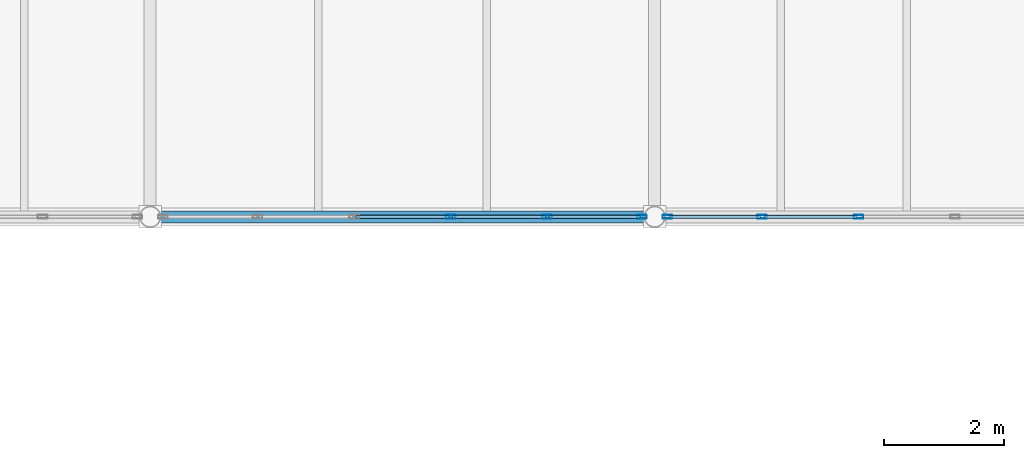
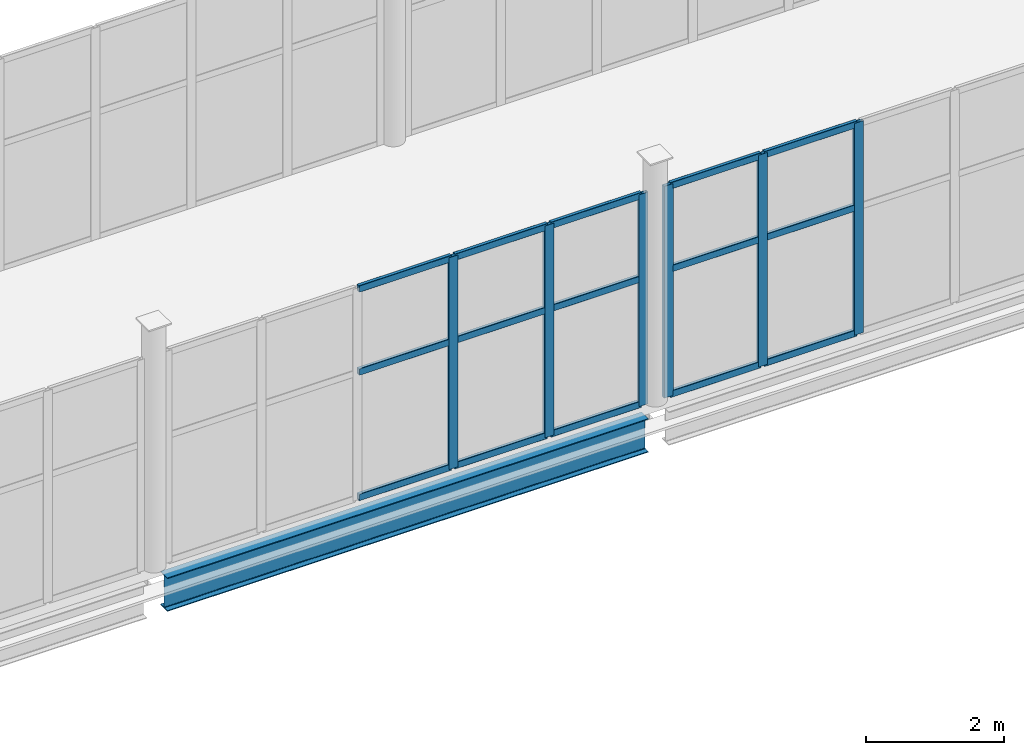
# One storey, part 46 of 172: 21 members, 1 beam, 2 elements without a shape of their own.
"""IFC4 building model written with IfcOpenShell, lengths in metres."""

from ifc_helpers import new_model, si_unit, direction, frame, origin, origin_2d, place, context, subcontext, project, spatial, hollow_rectangle, i_section, extrude, material, material_profile, profile_set, type_object, element, aggregate, save


model = new_model("IFC4")

# Units and contexts
model_context = context("Model", 3, precision=1e-05, world=origin(), true_north=direction((0.0, 1.0)))
body_context = subcontext(model_context, "Body", "Model", "MODEL_VIEW")
ifc_project = project(units=[si_unit("LENGTHUNIT", "METRE"), si_unit("AREAUNIT", "SQUARE_METRE"), si_unit("VOLUMEUNIT", "CUBIC_METRE"), si_unit("PLANEANGLEUNIT", "RADIAN"), si_unit("MASSUNIT", "GRAM", prefix="KILO")], contexts=[model_context])

# Site, building, storey
site_placement = place(None, origin())
site = spatial("IfcSite", under=ifc_project, at=site_placement, CompositionType="ELEMENT")
building_placement = place(site_placement, origin())
building = spatial("IfcBuilding", under=site, at=building_placement, Name="Shengluoqiao Park Theatre", CompositionType="ELEMENT")
storey_placement = place(building_placement, frame((0.0, 0.0, 5.39990234375)))
storey = spatial("IfcBuildingStorey", under=building, at=storey_placement, Name="L01", CompositionType="ELEMENT", Elevation=5.39990234375)

# Curtain wall, members
ifc_material_1 = material(Name="Aluminium 6063-T6", Category="aluminium")
curtain_wall_type = type_object("IfcCurtainWallType", Name="ENV-CW-BRIDGE", PredefinedType="NOTDEFINED", material=ifc_material_1)
curtain_wall_1_placement = place(storey_placement, origin())
curtain_wall_1 = element("IfcCurtainWall", 1, at=curtain_wall_1_placement, inside=storey, type_object=curtain_wall_type, Name="L01 Curtain Wall CWX-L01-0125", PredefinedType="NOTDEFINED")
ifc_material_profile_1 = material_profile(ifc_material_1, hollow_rectangle(XDim=0.06005859375, YDim=0.159912109375, WallThickness=0.00390625, InnerFilletRadius=0.00390625, OuterFilletRadius=0.008056640625, at=origin_2d()), Name="ALU MULLION 160x60x4")
ifc_profile_set_1 = profile_set([ifc_material_profile_1], Name="Aluminium 6063-T6")
member_type_1 = type_object("IfcMemberType", Name="ENV-MUL-160", PredefinedType="MULLION", material=ifc_profile_set_1)
member_1_placement = place(storey_placement, frame((66.20361328125, 53.199951171875, 0.0), z_axis=(0.0, 0.0, 1.0), x_axis=(0.0, 1.0, 0.0)))
member_1 = element("IfcMember", 2, at=member_1_placement, type_object=member_type_1, Name="CW-03 mullion 4", PredefinedType="MULLION", context=body_context, shape_type="SweptSolid", body=[
    extrude(hollow_rectangle(XDim=0.06005859375, YDim=0.159912109375, WallThickness=0.00390625, InnerFilletRadius=0.00390625, OuterFilletRadius=0.008056640625, at=origin_2d()), origin(), (0.0, 0.0, 1.0), 3.752197265625),
])
member_2_placement = place(storey_placement, frame((67.810791015625, 53.199951171875, 0.0), z_axis=(0.0, 0.0, 1.0), x_axis=(0.0, 1.0, 0.0)))
member_2 = element("IfcMember", 3, at=member_2_placement, type_object=member_type_1, Name="CW-03 mullion 5", PredefinedType="MULLION", context=body_context, shape_type="SweptSolid", body=[
    extrude(hollow_rectangle(XDim=0.06005859375, YDim=0.159912109375, WallThickness=0.00390625, InnerFilletRadius=0.00390625, OuterFilletRadius=0.008056640625, at=origin_2d()), origin(), (0.0, 0.0, 1.0), 3.752197265625),
])
member_3_placement = place(storey_placement, frame((69.387939453125, 53.199951171875, 0.0), z_axis=(0.0, 0.0, 1.0), x_axis=(0.0, 1.0, 0.0)))
member_3 = element("IfcMember", 4, at=member_3_placement, type_object=member_type_1, Name="CW-03 mullion 6", PredefinedType="MULLION", context=body_context, shape_type="SweptSolid", body=[
    extrude(hollow_rectangle(XDim=0.06005859375, YDim=0.159912109375, WallThickness=0.00390625, InnerFilletRadius=0.00390625, OuterFilletRadius=0.008056640625, at=origin_2d()), origin(), (0.0, 0.0, 1.0), 3.752197265625),
])

curtain_wall_2_placement = place(storey_placement, origin())
curtain_wall_2 = element("IfcCurtainWall", 5, at=curtain_wall_2_placement, inside=storey, type_object=curtain_wall_type, Name="L01 Curtain Wall CWX-L01-0126", PredefinedType="NOTDEFINED")
member_4_placement = place(storey_placement, frame((69.81201171875, 53.199951171875, 0.0), z_axis=(0.0, 0.0, 1.0), x_axis=(0.0, 1.0, 0.0)))
member_4 = element("IfcMember", 6, at=member_4_placement, type_object=member_type_1, Name="CW-03 mullion 1", PredefinedType="MULLION", context=body_context, shape_type="SweptSolid", body=[
    extrude(hollow_rectangle(XDim=0.06005859375, YDim=0.159912109375, WallThickness=0.00390625, InnerFilletRadius=0.00390625, OuterFilletRadius=0.008056640625, at=origin_2d()), origin(), (0.0, 0.0, 1.0), 3.752197265625),
])
member_5_placement = place(storey_placement, frame((71.38916015625, 53.199951171875, 0.0), z_axis=(0.0, 0.0, 1.0), x_axis=(0.0, 1.0, 0.0)))
member_5 = element("IfcMember", 7, at=member_5_placement, type_object=member_type_1, Name="CW-03 mullion 2", PredefinedType="MULLION", context=body_context, shape_type="SweptSolid", body=[
    extrude(hollow_rectangle(XDim=0.06005859375, YDim=0.159912109375, WallThickness=0.00390625, InnerFilletRadius=0.00390625, OuterFilletRadius=0.008056640625, at=origin_2d()), origin(), (0.0, 0.0, 1.0), 3.752197265625),
])
member_6_placement = place(storey_placement, frame((72.996337890625, 53.199951171875, 0.0), z_axis=(0.0, 0.0, 1.0), x_axis=(0.0, 1.0, 0.0)))
member_6 = element("IfcMember", 8, at=member_6_placement, type_object=member_type_1, Name="CW-03 mullion 3", PredefinedType="MULLION", context=body_context, shape_type="SweptSolid", body=[
    extrude(hollow_rectangle(XDim=0.06005859375, YDim=0.159912109375, WallThickness=0.00390625, InnerFilletRadius=0.00390625, OuterFilletRadius=0.008056640625, at=origin_2d()), origin(), (0.0, 0.0, 1.0), 3.752197265625),
])

# Member
ifc_material_profile_2 = material_profile(ifc_material_1, hollow_rectangle(XDim=0.06005859375, YDim=0.1201171875, WallThickness=0.00390625, InnerFilletRadius=0.00390625, OuterFilletRadius=0.008056640625, at=origin_2d()), Name="ALU TRANSOM 120x60x4")
ifc_profile_set_2 = profile_set([ifc_material_profile_2], Name="Aluminium 6063-T6")
member_type_2 = type_object("IfcMemberType", Name="ENV-TRN-120", PredefinedType="USERDEFINED", material=ifc_profile_set_2)
member_7_placement = place(storey_placement, frame((64.62646484375, 53.199951171875, 0.030029296875), z_axis=(1.0, 0.0, 0.0), x_axis=(0.0, 1.0, 0.0)))
member_7 = element("IfcMember", 9, at=member_7_placement, type_object=member_type_2, Name="CW-03 transom 3.1", ObjectType="TRANSOM", PredefinedType="USERDEFINED", context=body_context, shape_type="SweptSolid", body=[
    extrude(hollow_rectangle(XDim=0.06005859375, YDim=0.1201171875, WallThickness=0.00390625, InnerFilletRadius=0.00390625, OuterFilletRadius=0.008056640625, at=origin_2d()), origin(), (0.0, 0.0, 1.0), 1.547119140625),
])

member_8_placement = place(storey_placement, frame((64.62646484375, 53.199951171875, 2.2509765625), z_axis=(1.0, 0.0, 0.0), x_axis=(0.0, 1.0, 0.0)))
member_8 = element("IfcMember", 10, at=member_8_placement, type_object=member_type_2, Name="CW-03 transom 3.2", ObjectType="TRANSOM", PredefinedType="USERDEFINED", context=body_context, shape_type="SweptSolid", body=[
    extrude(hollow_rectangle(XDim=0.06005859375, YDim=0.1201171875, WallThickness=0.00390625, InnerFilletRadius=0.00390625, OuterFilletRadius=0.008056640625, at=origin_2d()), origin(), (0.0, 0.0, 1.0), 1.547119140625),
])

member_9_placement = place(storey_placement, frame((64.62646484375, 53.199951171875, 3.72216796875), z_axis=(1.0, 0.0, 0.0), x_axis=(0.0, 1.0, 0.0)))
member_9 = element("IfcMember", 11, at=member_9_placement, type_object=member_type_2, Name="CW-03 transom 3.3", ObjectType="TRANSOM", PredefinedType="USERDEFINED", context=body_context, shape_type="SweptSolid", body=[
    extrude(hollow_rectangle(XDim=0.06005859375, YDim=0.1201171875, WallThickness=0.00390625, InnerFilletRadius=0.00390625, OuterFilletRadius=0.008056640625, at=origin_2d()), origin(), (0.0, 0.0, 1.0), 1.547119140625),
])

member_10_placement = place(storey_placement, frame((66.233642578125, 53.199951171875, 0.030029296875), z_axis=(1.0, 0.0, 0.0), x_axis=(0.0, 1.0, 0.0)))
member_10 = element("IfcMember", 12, at=member_10_placement, type_object=member_type_2, Name="CW-03 transom 4.1", ObjectType="TRANSOM", PredefinedType="USERDEFINED", context=body_context, shape_type="SweptSolid", body=[
    extrude(hollow_rectangle(XDim=0.06005859375, YDim=0.1201171875, WallThickness=0.00390625, InnerFilletRadius=0.00390625, OuterFilletRadius=0.008056640625, at=origin_2d()), origin(), (0.0, 0.0, 1.0), 1.547119140625),
])

member_11_placement = place(storey_placement, frame((66.233642578125, 53.199951171875, 2.2509765625), z_axis=(1.0, 0.0, 0.0), x_axis=(0.0, 1.0, 0.0)))
member_11 = element("IfcMember", 13, at=member_11_placement, type_object=member_type_2, Name="CW-03 transom 4.2", ObjectType="TRANSOM", PredefinedType="USERDEFINED", context=body_context, shape_type="SweptSolid", body=[
    extrude(hollow_rectangle(XDim=0.06005859375, YDim=0.1201171875, WallThickness=0.00390625, InnerFilletRadius=0.00390625, OuterFilletRadius=0.008056640625, at=origin_2d()), origin(), (0.0, 0.0, 1.0), 1.547119140625),
])

member_12_placement = place(storey_placement, frame((66.233642578125, 53.199951171875, 3.72216796875), z_axis=(1.0, 0.0, 0.0), x_axis=(0.0, 1.0, 0.0)))
member_12 = element("IfcMember", 14, at=member_12_placement, type_object=member_type_2, Name="CW-03 transom 4.3", ObjectType="TRANSOM", PredefinedType="USERDEFINED", context=body_context, shape_type="SweptSolid", body=[
    extrude(hollow_rectangle(XDim=0.06005859375, YDim=0.1201171875, WallThickness=0.00390625, InnerFilletRadius=0.00390625, OuterFilletRadius=0.008056640625, at=origin_2d()), origin(), (0.0, 0.0, 1.0), 1.547119140625),
])

member_13_placement = place(storey_placement, frame((67.8408203125, 53.199951171875, 0.030029296875), z_axis=(1.0, 0.0, 0.0), x_axis=(0.0, 1.0, 0.0)))
member_13 = element("IfcMember", 15, at=member_13_placement, type_object=member_type_2, Name="CW-03 transom 5.1", ObjectType="TRANSOM", PredefinedType="USERDEFINED", context=body_context, shape_type="SweptSolid", body=[
    extrude(hollow_rectangle(XDim=0.06005859375, YDim=0.1201171875, WallThickness=0.00390625, InnerFilletRadius=0.00390625, OuterFilletRadius=0.008056640625, at=origin_2d()), origin(), (0.0, 0.0, 1.0), 1.51708984375),
])

member_14_placement = place(storey_placement, frame((67.8408203125, 53.199951171875, 2.2509765625), z_axis=(1.0, 0.0, 0.0), x_axis=(0.0, 1.0, 0.0)))
member_14 = element("IfcMember", 16, at=member_14_placement, type_object=member_type_2, Name="CW-03 transom 5.2", ObjectType="TRANSOM", PredefinedType="USERDEFINED", context=body_context, shape_type="SweptSolid", body=[
    extrude(hollow_rectangle(XDim=0.06005859375, YDim=0.1201171875, WallThickness=0.00390625, InnerFilletRadius=0.00390625, OuterFilletRadius=0.008056640625, at=origin_2d()), origin(), (0.0, 0.0, 1.0), 1.51708984375),
])

member_15_placement = place(storey_placement, frame((67.8408203125, 53.199951171875, 3.72216796875), z_axis=(1.0, 0.0, 0.0), x_axis=(0.0, 1.0, 0.0)))
member_15 = element("IfcMember", 17, at=member_15_placement, type_object=member_type_2, Name="CW-03 transom 5.3", ObjectType="TRANSOM", PredefinedType="USERDEFINED", context=body_context, shape_type="SweptSolid", body=[
    extrude(hollow_rectangle(XDim=0.06005859375, YDim=0.1201171875, WallThickness=0.00390625, InnerFilletRadius=0.00390625, OuterFilletRadius=0.008056640625, at=origin_2d()), origin(), (0.0, 0.0, 1.0), 1.51708984375),
])

aggregate(curtain_wall_1, [member_1, member_2, member_3, member_7, member_8, member_9, member_10, member_11, member_12, member_13, member_14, member_15])

member_16_placement = place(storey_placement, frame((69.842041015625, 53.199951171875, 0.030029296875), z_axis=(1.0, 0.0, 0.0), x_axis=(0.0, 1.0, 0.0)))
member_16 = element("IfcMember", 18, at=member_16_placement, type_object=member_type_2, Name="CW-03 transom 1.1", ObjectType="TRANSOM", PredefinedType="USERDEFINED", context=body_context, shape_type="SweptSolid", body=[
    extrude(hollow_rectangle(XDim=0.06005859375, YDim=0.1201171875, WallThickness=0.00390625, InnerFilletRadius=0.00390625, OuterFilletRadius=0.008056640625, at=origin_2d()), origin(), (0.0, 0.0, 1.0), 1.51708984375),
])

member_17_placement = place(storey_placement, frame((69.842041015625, 53.199951171875, 2.2509765625), z_axis=(1.0, 0.0, 0.0), x_axis=(0.0, 1.0, 0.0)))
member_17 = element("IfcMember", 19, at=member_17_placement, type_object=member_type_2, Name="CW-03 transom 1.2", ObjectType="TRANSOM", PredefinedType="USERDEFINED", context=body_context, shape_type="SweptSolid", body=[
    extrude(hollow_rectangle(XDim=0.06005859375, YDim=0.1201171875, WallThickness=0.00390625, InnerFilletRadius=0.00390625, OuterFilletRadius=0.008056640625, at=origin_2d()), origin(), (0.0, 0.0, 1.0), 1.51708984375),
])

member_18_placement = place(storey_placement, frame((69.842041015625, 53.199951171875, 3.72216796875), z_axis=(1.0, 0.0, 0.0), x_axis=(0.0, 1.0, 0.0)))
member_18 = element("IfcMember", 20, at=member_18_placement, type_object=member_type_2, Name="CW-03 transom 1.3", ObjectType="TRANSOM", PredefinedType="USERDEFINED", context=body_context, shape_type="SweptSolid", body=[
    extrude(hollow_rectangle(XDim=0.06005859375, YDim=0.1201171875, WallThickness=0.00390625, InnerFilletRadius=0.00390625, OuterFilletRadius=0.008056640625, at=origin_2d()), origin(), (0.0, 0.0, 1.0), 1.51708984375),
])

member_19_placement = place(storey_placement, frame((71.419189453125, 53.199951171875, 0.030029296875), z_axis=(1.0, 0.0, 0.0), x_axis=(0.0, 1.0, 0.0)))
member_19 = element("IfcMember", 21, at=member_19_placement, type_object=member_type_2, Name="CW-03 transom 2.1", ObjectType="TRANSOM", PredefinedType="USERDEFINED", context=body_context, shape_type="SweptSolid", body=[
    extrude(hollow_rectangle(XDim=0.06005859375, YDim=0.1201171875, WallThickness=0.00390625, InnerFilletRadius=0.00390625, OuterFilletRadius=0.008056640625, at=origin_2d()), origin(), (0.0, 0.0, 1.0), 1.547119140625),
])

member_20_placement = place(storey_placement, frame((71.419189453125, 53.199951171875, 2.2509765625), z_axis=(1.0, 0.0, 0.0), x_axis=(0.0, 1.0, 0.0)))
member_20 = element("IfcMember", 22, at=member_20_placement, type_object=member_type_2, Name="CW-03 transom 2.2", ObjectType="TRANSOM", PredefinedType="USERDEFINED", context=body_context, shape_type="SweptSolid", body=[
    extrude(hollow_rectangle(XDim=0.06005859375, YDim=0.1201171875, WallThickness=0.00390625, InnerFilletRadius=0.00390625, OuterFilletRadius=0.008056640625, at=origin_2d()), origin(), (0.0, 0.0, 1.0), 1.547119140625),
])

member_21_placement = place(storey_placement, frame((71.419189453125, 53.199951171875, 3.72216796875), z_axis=(1.0, 0.0, 0.0), x_axis=(0.0, 1.0, 0.0)))
member_21 = element("IfcMember", 23, at=member_21_placement, type_object=member_type_2, Name="CW-03 transom 2.3", ObjectType="TRANSOM", PredefinedType="USERDEFINED", context=body_context, shape_type="SweptSolid", body=[
    extrude(hollow_rectangle(XDim=0.06005859375, YDim=0.1201171875, WallThickness=0.00390625, InnerFilletRadius=0.00390625, OuterFilletRadius=0.008056640625, at=origin_2d()), origin(), (0.0, 0.0, 1.0), 1.547119140625),
])

aggregate(curtain_wall_2, [member_4, member_5, member_6, member_16, member_17, member_18, member_19, member_20, member_21])

# Beam
ifc_material_2 = material(Name="Steel Q355", Category="steel")
ifc_material_profile_3 = material_profile(ifc_material_2, i_section(OverallWidth=0.198974609375, OverallDepth=0.595947265625, WebThickness=0.010009765625, FlangeThickness=0.014892578125, FilletRadius=0.02001953125, at=origin_2d()), Name="HN 596x199x10x15")
ifc_profile_set_3 = profile_set([ifc_material_profile_3], Name="Steel Q355")
beam_type = type_object("IfcBeamType", Name="STR-BM-SP-HN596", PredefinedType="SPANDREL", material=ifc_profile_set_3)
beam_placement = place(storey_placement, frame((61.3720703125, 53.199951171875, -0.5078125), z_axis=(1.0, 0.0, 0.0), x_axis=(0.0, 1.0, 0.0)))
element("IfcBeam", 24, at=beam_placement, inside=storey, type_object=beam_type, Name="L01 Primary Girder 00563", PredefinedType="SPANDREL", context=body_context, shape_type="SweptSolid", body=[
    extrude(i_section(OverallWidth=0.198974609375, OverallDepth=0.595947265625, WebThickness=0.010009765625, FlangeThickness=0.014892578125, FilletRadius=0.02001953125, at=origin_2d()), origin(), (0.0, 0.0, 1.0), 8.055908203125),
])

save(model, "model.ifc")
